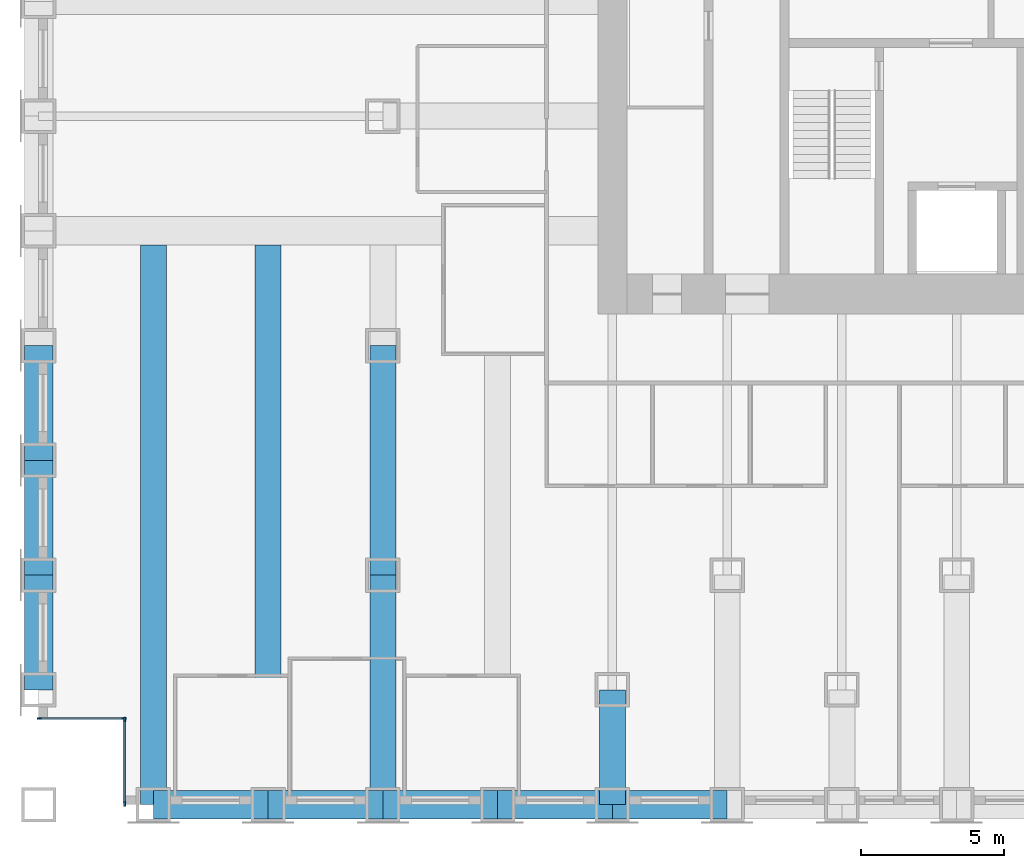
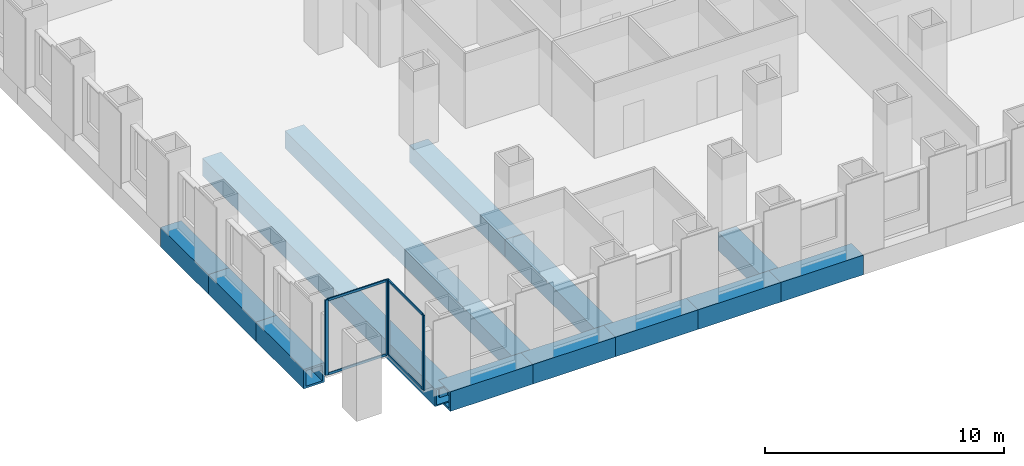
# One storey, part 2 of 14: 13 beams, 8 members, 2 elements without a shape of their own.
"""IFC4 building model written with IfcOpenShell, lengths in metres."""

from ifc_helpers import new_model, si_unit, direction, frame, origin, origin_2d, place, context, subcontext, project, spatial, rectangle, hollow_rectangle, extrude, material, material_profile, profile_set, type_object, element, aggregate, save


model = new_model("IFC4")

# Units and contexts
model_context = context("Model", 3, precision=1e-05, world=origin(), true_north=direction((0.0, 1.0)))
body_context = subcontext(model_context, "Body", "Model", "MODEL_VIEW")
ifc_project = project(units=[si_unit("LENGTHUNIT", "METRE"), si_unit("AREAUNIT", "SQUARE_METRE"), si_unit("VOLUMEUNIT", "CUBIC_METRE"), si_unit("PLANEANGLEUNIT", "RADIAN"), si_unit("MASSUNIT", "GRAM", prefix="KILO")], contexts=[model_context])

# Site, building, storey
site_placement = place(None, origin())
site = spatial("IfcSite", under=ifc_project, at=site_placement, CompositionType="ELEMENT")
building_placement = place(site_placement, origin())
building = spatial("IfcBuilding", under=site, at=building_placement, Name="Rimbunsela Tower", CompositionType="ELEMENT")
storey_placement = place(building_placement, frame((0.0, 0.0, 59.0)))
storey = spatial("IfcBuildingStorey", under=building, at=storey_placement, Name="L14", CompositionType="ELEMENT", Elevation=59.0)

# Beams
ifc_material_1 = material(Name="Steel BJ 55 (fy 410 MPa)", Category="steel")
ifc_material_profile_1 = material_profile(ifc_material_1, hollow_rectangle(XDim=1.0, YDim=1.0, WallThickness=0.10009765625, at=origin_2d()), Name="BOX 1000x1000x100")
ifc_profile_set_1 = profile_set([ifc_material_profile_1], Name="Steel BJ 55 (fy 410 MPa)")
beam_type_1 = type_object("IfcBeamType", Name="Beam BOX 1000x1000x100", PredefinedType="BEAM", material=ifc_profile_set_1)
for number, where, z_axis, x_axis, name in (
    (1, (-2.0, 4.0, -0.64990234375), (0.0, 1.0, 0.0), (-1.0, 0.0, 0.0), "Beam B3 L14"),
    (2, (-2.0, 8.0, -0.64990234375), (0.0, 1.0, 0.0), (-1.0, 0.0, 0.0), "Beam B3 L14"),
    (3, (-2.0, 12.0, -0.64990234375), (0.0, 1.0, 0.0), (-1.0, 0.0, 0.0), "Beam B3 L14"),
    (4, (2.0, 0.0, -0.64990234375), (1.0, 0.0, 0.0), (0.0, 1.0, 0.0), "Beam B3 L14"),
    (5, (6.0, 0.0, -0.64990234375), (1.0, 0.0, 0.0), (0.0, 1.0, 0.0), "Beam B3 L14"),
    (6, (10.0, 0.0, -0.64990234375), (1.0, 0.0, 0.0), (0.0, 1.0, 0.0), "Beam B3 L14"),
    (7, (14.0, 0.0, -0.64990234375), (1.0, 0.0, 0.0), (0.0, 1.0, 0.0), "Beam B3 L14"),
    (8, (18.0, 0.0, -0.64990234375), (1.0, 0.0, 0.0), (0.0, 1.0, 0.0), "Beam B3 L14"),
):
    element("IfcBeam", number, at=place(storey_placement, frame(where, z_axis=z_axis, x_axis=x_axis)), inside=storey, type_object=beam_type_1, Name=name, PredefinedType="BEAM", context=body_context, shape_type="SweptSolid", body=[
        extrude(hollow_rectangle(XDim=1.0, YDim=1.0, WallThickness=0.10009765625, at=origin_2d()), origin(), (0.0, 0.0, 1.0), 4.0),
    ])
ifc_material_2 = material(Name="Steel BJ 55 (fy 410 MPa)", Category="steel")
ifc_material_profile_2 = material_profile(ifc_material_2, hollow_rectangle(XDim=0.89990234375, YDim=0.89990234375, WallThickness=0.06005859375, at=origin_2d()), Name="BOX 900x900x60")
ifc_profile_set_2 = profile_set([ifc_material_profile_2], Name="Steel BJ 55 (fy 410 MPa)")
beam_type_2 = type_object("IfcBeamType", Name="Beam BOX 900x900x60", PredefinedType="BEAM", material=ifc_profile_set_2)
for number, where, z_axis, x_axis, name in (
    (9, (2.0, 0.0, -0.60009765625), (0.0, 1.0, 0.0), (-1.0, 0.0, 0.0), "Beam B1 L14"),
    (10, (6.0, 0.0, -0.60009765625), (0.0, 1.0, 0.0), (-1.0, 0.0, 0.0), "Beam B1 L14"),
):
    element("IfcBeam", number, at=place(storey_placement, frame(where, z_axis=z_axis, x_axis=x_axis)), inside=storey, type_object=beam_type_2, Name=name, PredefinedType="BEAM", context=body_context, shape_type="SweptSolid", body=[
        extrude(hollow_rectangle(XDim=0.89990234375, YDim=0.89990234375, WallThickness=0.06005859375, at=origin_2d()), origin(), (0.0, 0.0, 1.0), 19.5),
    ])
for number, where, z_axis, x_axis, name in (
    (11, (10.0, 0.0, -0.60009765625), (0.0, 1.0, 0.0), (-1.0, 0.0, 0.0), "Beam B1 L14"),
    (12, (10.0, 8.0, -0.60009765625), (0.0, 1.0, 0.0), (-1.0, 0.0, 0.0), "Beam B1 L14"),
):
    element("IfcBeam", number, at=place(storey_placement, frame(where, z_axis=z_axis, x_axis=x_axis)), inside=storey, type_object=beam_type_2, Name=name, PredefinedType="BEAM", context=body_context, shape_type="SweptSolid", body=[
        extrude(hollow_rectangle(XDim=0.89990234375, YDim=0.89990234375, WallThickness=0.06005859375, at=origin_2d()), origin(), (0.0, 0.0, 1.0), 8.0),
    ])
beam_placement = place(storey_placement, frame((18.0, 0.0, -0.60009765625), z_axis=(0.0, 1.0, 0.0), x_axis=(-1.0, 0.0, 0.0)))
element("IfcBeam", 13, at=beam_placement, inside=storey, type_object=beam_type_2, Name="Beam B1 L14", PredefinedType="BEAM", context=body_context, shape_type="SweptSolid", body=[
    extrude(hollow_rectangle(XDim=0.89990234375, YDim=0.89990234375, WallThickness=0.06005859375, at=origin_2d()), origin(), (0.0, 0.0, 1.0), 4.0),
])

# Curtain wall, members
ifc_material_3 = material(Name="Aluminium curtain wall", Category="aluminium")
curtain_wall_type = type_object("IfcCurtainWallType", Name="Corner glazing", PredefinedType="USERDEFINED", material=ifc_material_3)
curtain_wall_1_placement = place(storey_placement, origin())
curtain_wall_1 = element("IfcCurtainWall", 14, at=curtain_wall_1_placement, inside=storey, type_object=curtain_wall_type, Name="Corner glazing L14", ObjectType="CORNER GLAZING", PredefinedType="USERDEFINED")
ifc_material_4 = material(Name="Aluminium mullion", Category="aluminium")
ifc_material_profile_3 = material_profile(ifc_material_4, rectangle(XDim=0.06005859375, YDim=0.159912109375, at=origin_2d()), Name="Mullion 60x160")
ifc_profile_set_3 = profile_set([ifc_material_profile_3], Name="Aluminium mullion")
member_type_1 = type_object("IfcMemberType", Name="Curtain wall mullion 60x160", PredefinedType="MULLION", material=ifc_profile_set_3)
member_1_placement = place(storey_placement, frame((-1.969970703125, 3.0, 0.0), z_axis=(0.0, 0.0, 1.0), x_axis=(0.0, 1.0, 0.0)))
member_1 = element("IfcMember", 15, at=member_1_placement, type_object=member_type_1, Name="CW5 mullion 1", PredefinedType="MULLION", context=body_context, shape_type="SweptSolid", body=[
    extrude(rectangle(XDim=0.06005859375, YDim=0.159912109375, at=origin_2d()), origin(), (0.0, 0.0, 1.0), 3.85009765625),
])
member_2_placement = place(storey_placement, frame((0.969970703125, 3.0, 0.0), z_axis=(0.0, 0.0, 1.0), x_axis=(0.0, 1.0, 0.0)))
member_2 = element("IfcMember", 16, at=member_2_placement, type_object=member_type_1, Name="CW5 mullion 2", PredefinedType="MULLION", context=body_context, shape_type="SweptSolid", body=[
    extrude(rectangle(XDim=0.06005859375, YDim=0.159912109375, at=origin_2d()), origin(), (0.0, 0.0, 1.0), 3.85009765625),
])

curtain_wall_2_placement = place(storey_placement, origin())
curtain_wall_2 = element("IfcCurtainWall", 17, at=curtain_wall_2_placement, inside=storey, type_object=curtain_wall_type, Name="Corner glazing L14", ObjectType="CORNER GLAZING", PredefinedType="USERDEFINED")
member_3_placement = place(storey_placement, frame((1.0, 2.969970703125, 0.0), z_axis=(0.0, 0.0, 1.0), x_axis=(1.0, 0.0, 0.0)))
member_3 = element("IfcMember", 18, at=member_3_placement, type_object=member_type_1, Name="CW5 mullion 1", PredefinedType="MULLION", context=body_context, shape_type="SweptSolid", body=[
    extrude(rectangle(XDim=0.06005859375, YDim=0.159912109375, at=origin_2d()), origin(), (0.0, 0.0, 1.0), 3.85009765625),
])
member_4_placement = place(storey_placement, frame((1.0, 0.030029296875, 0.0), z_axis=(0.0, 0.0, 1.0), x_axis=(1.0, 0.0, 0.0)))
member_4 = element("IfcMember", 19, at=member_4_placement, type_object=member_type_1, Name="CW5 mullion 2", PredefinedType="MULLION", context=body_context, shape_type="SweptSolid", body=[
    extrude(rectangle(XDim=0.06005859375, YDim=0.159912109375, at=origin_2d()), origin(), (0.0, 0.0, 1.0), 3.85009765625),
])

# Member
ifc_material_5 = material(Name="Aluminium transom", Category="aluminium")
ifc_material_profile_4 = material_profile(ifc_material_5, rectangle(XDim=0.06005859375, YDim=0.1201171875, at=origin_2d()), Name="Transom 60x120")
ifc_profile_set_4 = profile_set([ifc_material_profile_4], Name="Aluminium transom")
member_type_2 = type_object("IfcMemberType", Name="Curtain wall transom 60x120", PredefinedType="USERDEFINED", material=ifc_profile_set_4)
member_5_placement = place(storey_placement, frame((-1.93994140625, 3.0, 0.030029296875), z_axis=(1.0, 0.0, 0.0), x_axis=(0.0, 1.0, 0.0)))
member_5 = element("IfcMember", 20, at=member_5_placement, type_object=member_type_2, Name="CW5 transom 1.1", ObjectType="TRANSOM", PredefinedType="USERDEFINED", context=body_context, shape_type="SweptSolid", body=[
    extrude(rectangle(XDim=0.06005859375, YDim=0.1201171875, at=origin_2d()), origin(), (0.0, 0.0, 1.0), 2.8798828125),
])

member_6_placement = place(storey_placement, frame((-1.93994140625, 3.0, 3.820068359375), z_axis=(1.0, 0.0, 0.0), x_axis=(0.0, 1.0, 0.0)))
member_6 = element("IfcMember", 21, at=member_6_placement, type_object=member_type_2, Name="CW5 transom 1.2", ObjectType="TRANSOM", PredefinedType="USERDEFINED", context=body_context, shape_type="SweptSolid", body=[
    extrude(rectangle(XDim=0.06005859375, YDim=0.1201171875, at=origin_2d()), origin(), (0.0, 0.0, 1.0), 2.8798828125),
])

aggregate(curtain_wall_1, [member_1, member_2, member_5, member_6])

member_7_placement = place(storey_placement, frame((1.0, 2.93994140625, 0.030029296875), z_axis=(0.0, -1.0, 0.0), x_axis=(1.0, 0.0, 0.0)))
member_7 = element("IfcMember", 22, at=member_7_placement, type_object=member_type_2, Name="CW5 transom 1.1", ObjectType="TRANSOM", PredefinedType="USERDEFINED", context=body_context, shape_type="SweptSolid", body=[
    extrude(rectangle(XDim=0.06005859375, YDim=0.1201171875, at=origin_2d()), origin(), (0.0, 0.0, 1.0), 2.8798828125),
])

member_8_placement = place(storey_placement, frame((1.0, 2.93994140625, 3.820068359375), z_axis=(0.0, -1.0, 0.0), x_axis=(1.0, 0.0, 0.0)))
member_8 = element("IfcMember", 23, at=member_8_placement, type_object=member_type_2, Name="CW5 transom 1.2", ObjectType="TRANSOM", PredefinedType="USERDEFINED", context=body_context, shape_type="SweptSolid", body=[
    extrude(rectangle(XDim=0.06005859375, YDim=0.1201171875, at=origin_2d()), origin(), (0.0, 0.0, 1.0), 2.8798828125),
])

aggregate(curtain_wall_2, [member_3, member_4, member_7, member_8])

save(model, "model.ifc")
